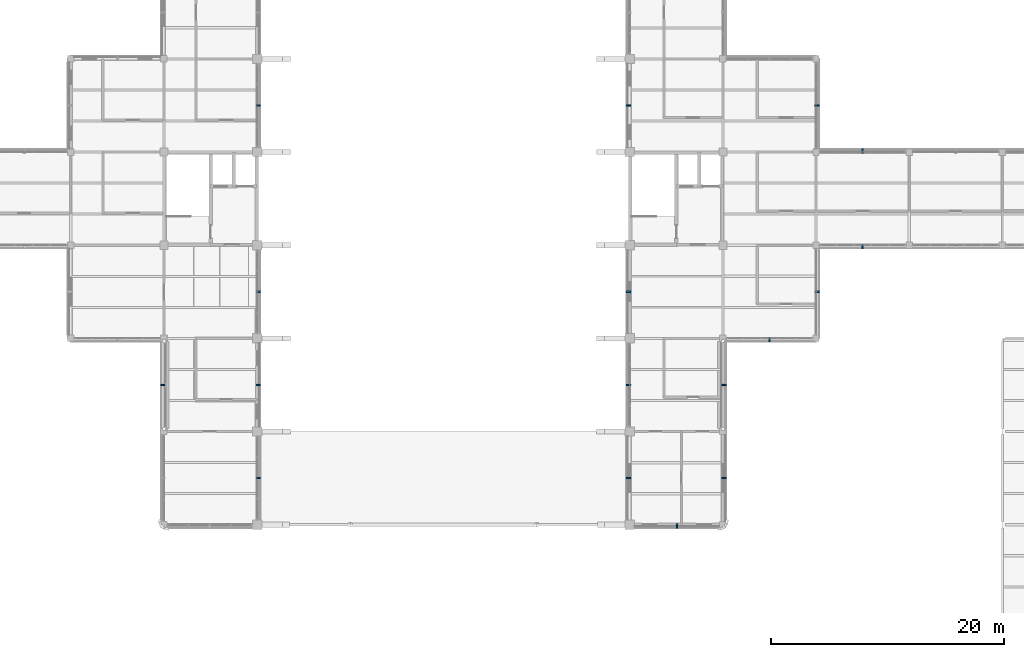
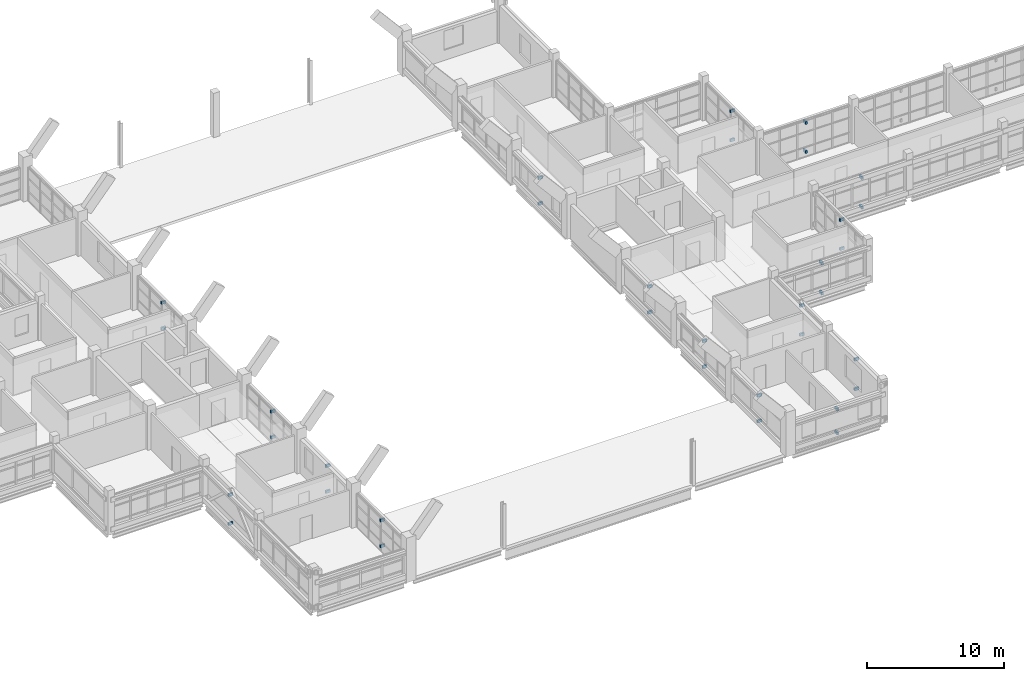
# One storey, part 78 of 92: 34 discrete accessories.
"""IFC4 building model written with IfcOpenShell, lengths in metres."""

from ifc_helpers import new_model, si_unit, derived_unit, direction, frame, origin, origin_2d, place, context, subcontext, project, spatial, rectangle, extrude, material, type_object, element, save


model = new_model("IFC4")

# Units and contexts
model_context = context("Model", 3, precision=1e-05, world=origin(), true_north=direction((0.0, 1.0)))
body_context = subcontext(model_context, "Body", "Model", "MODEL_VIEW")
ifc_project = project(units=[si_unit("LENGTHUNIT", "METRE"), si_unit("AREAUNIT", "SQUARE_METRE"), si_unit("VOLUMEUNIT", "CUBIC_METRE"), si_unit("PLANEANGLEUNIT", "RADIAN"), si_unit("MASSUNIT", "GRAM", prefix="KILO"), derived_unit("THERMALTRANSMITTANCEUNIT", [(si_unit("MASSUNIT", "GRAM", prefix="KILO"), 1), (si_unit("TIMEUNIT", "SECOND"), -3), (si_unit("THERMODYNAMICTEMPERATUREUNIT", "KELVIN"), -1)])], contexts=[model_context])

# Site, building, storey
site_placement = place(None, origin())
site = spatial("IfcSite", under=ifc_project, at=site_placement, CompositionType="ELEMENT")
building_placement = place(site_placement, origin())
building = spatial("IfcBuilding", under=site, at=building_placement, Name="Veyamyaing Civic Hall", CompositionType="ELEMENT")
storey_placement = place(building_placement, frame((0.0, 0.0, 17.820068359375)))
storey = spatial("IfcBuildingStorey", under=building, at=storey_placement, Name="L04", CompositionType="ELEMENT", Elevation=17.820068359375)

# Discrete accessories
ifc_material = material(Name="Steel S355J2", Category="steel")
discrete_accessory_type = type_object("IfcDiscreteAccessoryType", Name="BK-01", PredefinedType="BRACKET", material=ifc_material)
for number, where, z_axis, x_axis, name in (
    (1, (72.10009765625, 28.0, 2.662109375), (0.0, 0.0, 1.0), (1.0, 0.0, 0.0), "Sunshade anchor bracket BK-01 L04 E 9.4"),
    (2, (72.10009765625, 28.0, 0.35986328125), (0.0, 0.0, 1.0), (1.0, 0.0, 0.0), "Lower ribbon anchor bracket BK-01 L04 E 9.4"),
    (3, (63.89990234375, 36.0, 2.94482421875), (0.0, 0.0, 1.0), (-1.0, 0.0, 0.0), "Sunshade anchor bracket BK-01 L04 W 9.5"),
    (4, (63.89990234375, 36.0, 0.35986328125), (0.0, 0.0, 1.0), (-1.0, 0.0, 0.0), "Lower ribbon anchor bracket BK-01 L04 W 9.5"),
    (5, (72.10009765625, 36.0, 2.662109375), (0.0, 0.0, 1.0), (1.0, 0.0, 0.0), "Sunshade anchor bracket BK-01 L04 E 9.5"),
    (6, (72.10009765625, 36.0, 0.35986328125), (0.0, 0.0, 1.0), (1.0, 0.0, 0.0), "Lower ribbon anchor bracket BK-01 L04 E 9.5"),
    (7, (72.10009765625, 44.0, 2.662109375), (0.0, 0.0, 1.0), (1.0, 0.0, 0.0), "Sunshade anchor bracket BK-01 L04 E 9.6"),
    (8, (72.10009765625, 44.0, 0.35986328125), (0.0, 0.0, 1.0), (1.0, 0.0, 0.0), "Lower ribbon anchor bracket BK-01 L04 E 9.6"),
    (9, (72.10009765625, 60.0, 2.662109375), (0.0, 0.0, 1.0), (1.0, 0.0, 0.0), "Sunshade anchor bracket BK-01 L04 E 9.8"),
    (10, (72.10009765625, 60.0, 0.35986328125), (0.0, 0.0, 1.0), (1.0, 0.0, 0.0), "Lower ribbon anchor bracket BK-01 L04 E 9.8"),
    (11, (108.0625, 23.89990234375, 2.47705078125), (0.0, 0.0, 1.0), (0.0, -1.0, 0.0), "Sunshade anchor bracket BK-01 L04 S 14.4"),
    (12, (108.0625, 23.89990234375, 0.35986328125), (0.0, 0.0, 1.0), (0.0, -1.0, 0.0), "Lower ribbon anchor bracket BK-01 L04 S 14.4"),
    (13, (103.89990234375, 28.0, 2.662109375), (0.0, 0.0, 1.0), (-1.0, 0.0, 0.0), "Sunshade anchor bracket BK-01 L04 W 14.4"),
    (14, (103.89990234375, 28.0, 0.35986328125), (0.0, 0.0, 1.0), (-1.0, 0.0, 0.0), "Lower ribbon anchor bracket BK-01 L04 W 14.4"),
    (15, (112.10009765625, 28.0, 3.0087890625), (0.0, 0.0, 1.0), (1.0, 0.0, 0.0), "Sunshade anchor bracket BK-01 L04 E 14.4"),
    (16, (112.10009765625, 28.0, 0.35986328125), (0.0, 0.0, 1.0), (1.0, 0.0, 0.0), "Lower ribbon anchor bracket BK-01 L04 E 14.4"),
    (17, (103.89990234375, 36.0, 2.662109375), (0.0, 0.0, 1.0), (-1.0, 0.0, 0.0), "Sunshade anchor bracket BK-01 L04 W 14.5"),
    (18, (103.89990234375, 36.0, 0.35986328125), (0.0, 0.0, 1.0), (-1.0, 0.0, 0.0), "Lower ribbon anchor bracket BK-01 L04 W 14.5"),
    (19, (112.10009765625, 36.0, 2.94873046875), (0.0, 0.0, 1.0), (1.0, 0.0, 0.0), "Sunshade anchor bracket BK-01 L04 E 14.5"),
    (20, (112.10009765625, 36.0, 0.35986328125), (0.0, 0.0, 1.0), (1.0, 0.0, 0.0), "Lower ribbon anchor bracket BK-01 L04 E 14.5"),
    (21, (103.89990234375, 44.0, 2.662109375), (0.0, 0.0, 1.0), (-1.0, 0.0, 0.0), "Sunshade anchor bracket BK-01 L04 W 14.6"),
    (22, (103.89990234375, 44.0, 0.35986328125), (0.0, 0.0, 1.0), (-1.0, 0.0, 0.0), "Lower ribbon anchor bracket BK-01 L04 W 14.6"),
    (23, (103.89990234375, 60.0, 2.662109375), (0.0, 0.0, 1.0), (-1.0, 0.0, 0.0), "Sunshade anchor bracket BK-01 L04 W 14.8"),
    (24, (103.89990234375, 60.0, 0.35986328125), (0.0, 0.0, 1.0), (-1.0, 0.0, 0.0), "Lower ribbon anchor bracket BK-01 L04 W 14.8"),
    (25, (116.0, 39.89990234375, 3.01171875), (0.0, 0.0, 1.0), (0.0, -1.0, 0.0), "Sunshade anchor bracket BK-01 L04 S 15.6"),
    (26, (116.0, 39.89990234375, 0.35986328125), (0.0, 0.0, 1.0), (0.0, -1.0, 0.0), "Lower ribbon anchor bracket BK-01 L04 S 15.6"),
    (27, (120.10009765625, 44.0, 2.94482421875), (0.0, 0.0, 1.0), (1.0, 0.0, 0.0), "Sunshade anchor bracket BK-01 L04 E 15.6"),
    (28, (120.10009765625, 44.0, 0.35986328125), (0.0, 0.0, 1.0), (1.0, 0.0, 0.0), "Lower ribbon anchor bracket BK-01 L04 E 15.6"),
    (29, (120.10009765625, 60.0, 2.94873046875), (0.0, 0.0, 1.0), (1.0, 0.0, 0.0), "Sunshade anchor bracket BK-01 L04 E 15.8"),
    (30, (120.10009765625, 60.0, 0.35986328125), (0.0, 0.0, 1.0), (1.0, 0.0, 0.0), "Lower ribbon anchor bracket BK-01 L04 E 15.8"),
    (31, (124.0, 47.89990234375, 3.0087890625), (0.0, 0.0, 1.0), (0.0, -1.0, 0.0), "Sunshade anchor bracket BK-01 L04 S 16.7"),
    (32, (124.0, 47.89990234375, 0.35986328125), (0.0, 0.0, 1.0), (0.0, -1.0, 0.0), "Lower ribbon anchor bracket BK-01 L04 S 16.7"),
    (33, (124.0, 56.10009765625, 2.94873046875), (0.0, 0.0, 1.0), (0.0, 1.0, 0.0), "Sunshade anchor bracket BK-01 L04 N 16.7"),
    (34, (124.0, 56.10009765625, 0.35986328125), (0.0, 0.0, 1.0), (0.0, 1.0, 0.0), "Lower ribbon anchor bracket BK-01 L04 N 16.7"),
):
    element("IfcDiscreteAccessory", number, at=place(storey_placement, frame(where, z_axis=z_axis, x_axis=x_axis)), inside=storey, type_object=discrete_accessory_type, Name=name, PredefinedType="BRACKET", context=body_context, shape_type="SweptSolid", body=[
        extrude(rectangle(XDim=0.3798828125, YDim=0.139892578125, at=origin_2d()), origin(), (0.0, 0.0, 1.0), 0.239990234375),
    ])

save(model, "model.ifc")
